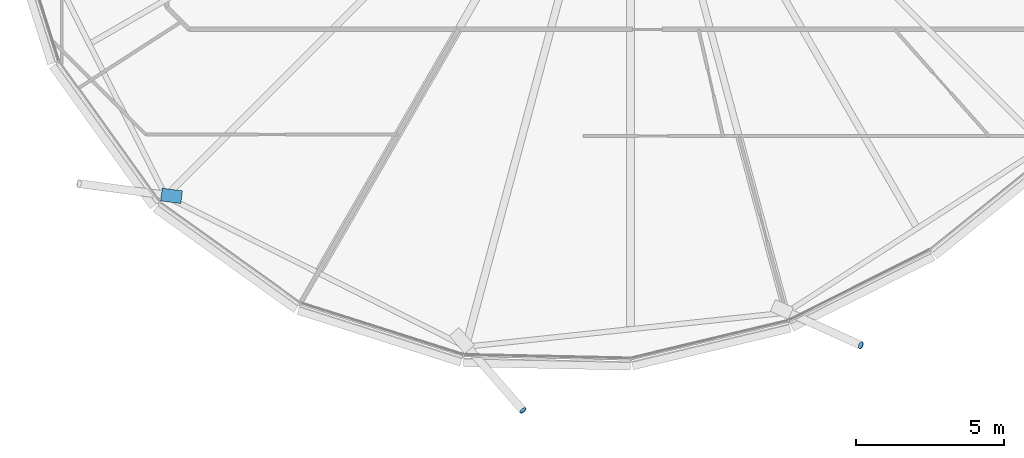
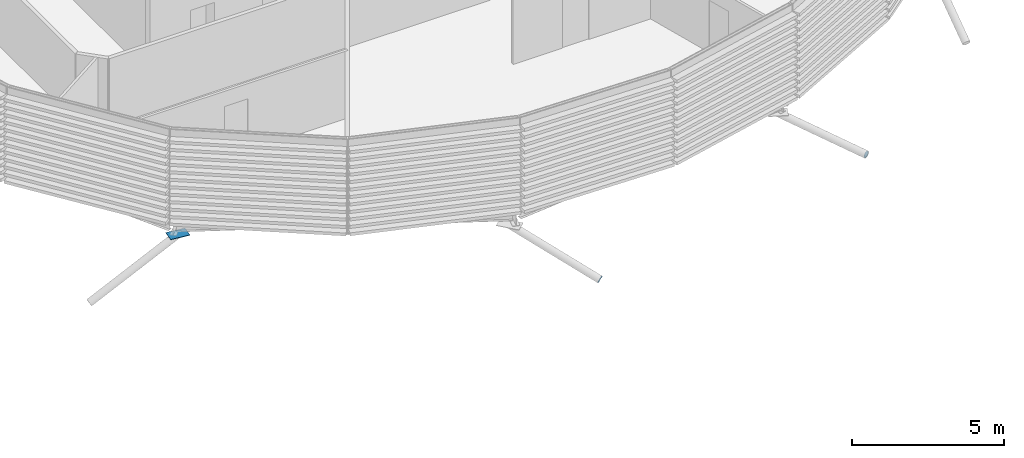
# One storey, part 29 of 37: 3 discrete accessories.
"""IFC4 building model written with IfcOpenShell, lengths in metres."""

from ifc_helpers import new_model, si_unit, direction, frame, origin, origin_2d, place, context, subcontext, project, spatial, polyline, rectangle, circle, outline, extrude, material, material_profile, profile_set, type_object, element, save


model = new_model("IFC4")

# Units and contexts
model_context = context("Model", 3, precision=1e-05, world=origin(), true_north=direction((0.0, 1.0)))
body_context = subcontext(model_context, "Body", "Model", "MODEL_VIEW")
ifc_project = project(units=[si_unit("LENGTHUNIT", "METRE"), si_unit("AREAUNIT", "SQUARE_METRE"), si_unit("VOLUMEUNIT", "CUBIC_METRE"), si_unit("PLANEANGLEUNIT", "RADIAN"), si_unit("MASSUNIT", "GRAM", prefix="KILO")], contexts=[model_context])

# Site, building, storey
site_placement = place(None, origin())
site = spatial("IfcSite", under=ifc_project, at=site_placement, CompositionType="ELEMENT")
building_placement = place(site_placement, origin())
building = spatial("IfcBuilding", under=site, at=building_placement, Name="Rimbun Link Towers", CompositionType="ELEMENT")
storey_placement = place(building_placement, frame((0.0, 0.0, 166.5)))
storey = spatial("IfcBuildingStorey", under=building, at=storey_placement, Name="L40", CompositionType="ELEMENT", Elevation=166.5)

# Discrete accessories
ifc_material_1 = material(Name="Steel S355J2H", Category="steel")
ifc_material_profile_1 = material_profile(ifc_material_1, circle(Radius=0.1240234375, at=origin_2d()), Name="PL D248")
ifc_profile_set_1 = profile_set([ifc_material_profile_1], Name="Steel S355J2H")
discrete_accessory_type_1 = type_object("IfcDiscreteAccessoryType", Name="Link foot sealing plate D248X20", PredefinedType="BRACKET", material=ifc_profile_set_1)
for number, where, z_axis, x_axis, name in (
    (1, (28.115966796875, -22.906005859375, -2.343505859375), (0.587951036741, -0.685942876198, -0.428714297624), (0.759256602365, 0.650791373456, 0.0), "Link foot sealing plate T2 L40 14"),
    (2, (39.51708984375, -20.709716796875, -2.648681640625), (0.770300095098, -0.342355597821, -0.537987368005), (0.406138466053, 0.91381154862, 0.0), "Link foot sealing plate T2 L40 16"),
):
    element("IfcDiscreteAccessory", number, at=place(storey_placement, frame(where, z_axis=z_axis, x_axis=x_axis)), inside=storey, type_object=discrete_accessory_type_1, Name=name, PredefinedType="BRACKET", context=body_context, shape_type="SweptSolid", body=[
        extrude(circle(Radius=0.1240234375, at=origin_2d()), origin(), (0.0, 0.0, 1.0), 0.02001953125),
    ])
ifc_material_2 = material(Name="Steel S355J2H", Category="steel")
ifc_material_profile_2 = material_profile(ifc_material_2, rectangle(XDim=0.43310546875, YDim=0.43310546875, at=origin_2d()), Name="PL 433x433")
ifc_profile_set_2 = profile_set([ifc_material_profile_2], Name="Steel S355J2H")
discrete_accessory_type_2 = type_object("IfcDiscreteAccessoryType", Name="Link head end plate 433X20", PredefinedType="BRACKET", material=ifc_profile_set_2)
discrete_accessory_placement = place(storey_placement, frame((0.0, 0.0, -0.772705078125)))
element("IfcDiscreteAccessory", 3, at=discrete_accessory_placement, inside=storey, type_object=discrete_accessory_type_2, Name="Link head end plate T2 L40 12", PredefinedType="BRACKET", context=body_context, shape_type="SweptSolid", body=[
    extrude(outline(polyline([(16.629150390625, -15.50146484375), (15.9462890625, -15.41162109375), (15.889892578125, -15.8408203125), (16.572509765625, -15.9306640625), (16.629150390625, -15.50146484375)])), origin(), (0.0, 0.0, 1.0), 0.02001953125),
])

save(model, "model.ifc")
